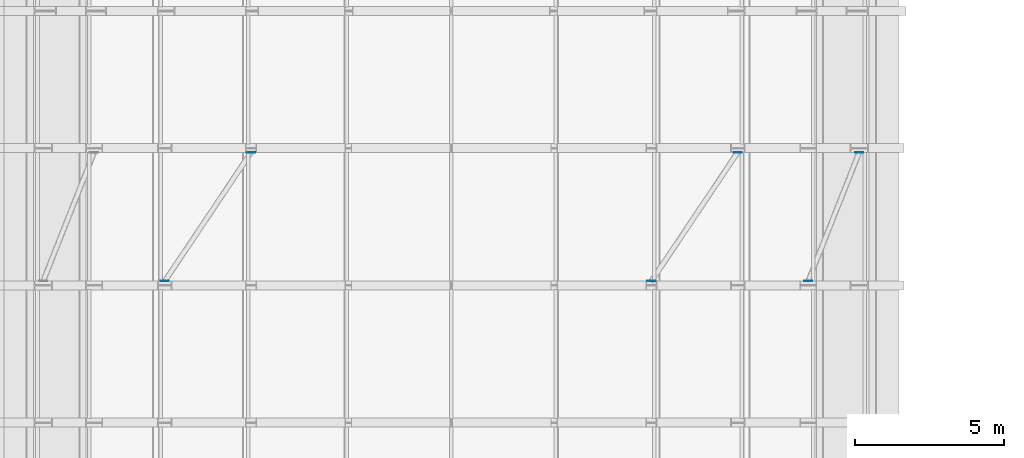
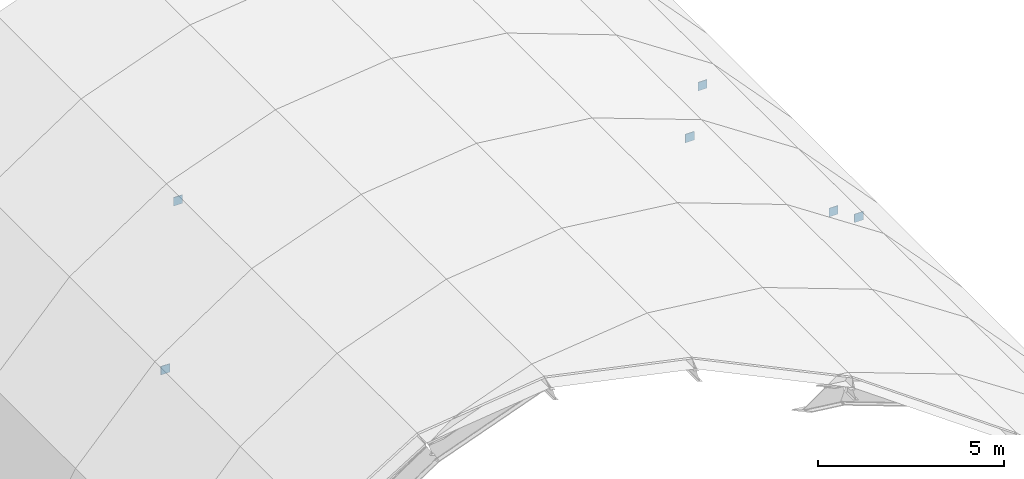
# One storey, part 34 of 47: 6 plates.
"""IFC4 building model written with IfcOpenShell, lengths in metres."""

from ifc_helpers import new_model, si_unit, direction, frame, origin, origin_2d, place, context, subcontext, project, spatial, rectangle, extrude, material, layer, layer_set, type_object, element, save


model = new_model("IFC4")

# Units and contexts
model_context = context("Model", 3, precision=1e-05, world=origin(), true_north=direction((0.0, 1.0)))
body_context = subcontext(model_context, "Body", "Model", "MODEL_VIEW")
ifc_project = project(units=[si_unit("LENGTHUNIT", "METRE"), si_unit("AREAUNIT", "SQUARE_METRE"), si_unit("VOLUMEUNIT", "CUBIC_METRE"), si_unit("PLANEANGLEUNIT", "RADIAN"), si_unit("MASSUNIT", "GRAM", prefix="KILO")], contexts=[model_context])

# Site, building, storey
site_placement = place(None, origin())
site = spatial("IfcSite", under=ifc_project, at=site_placement, CompositionType="ELEMENT")
building_placement = place(site_placement, origin())
building = spatial("IfcBuilding", under=site, at=building_placement, Name="Muzn Square Opera House", CompositionType="ELEMENT")
storey_placement = place(building_placement, frame((0.0, 0.0, 31.0)))
storey = spatial("IfcBuildingStorey", under=building, at=storey_placement, Name="RF-1", CompositionType="ELEMENT", Elevation=31.0)

# Plates
ifc_material = material(Name="Steel S355", Category="steel")
ifc_layer = layer(ifc_material, 0.01806640625, Name="Steel S355", Category="steel")
ifc_layer_set = layer_set([ifc_layer], Name="Steel S355")
plate_type = type_object("IfcPlateType", Name="Brace Cap Plate 18mm 280x280", PredefinedType="USERDEFINED", material=ifc_layer_set)
for number, where, z_axis, x_axis, name in (
    (1, (108.3955078125, 58.93994140625, -3.83349609375), (0.0, 0.0, 1.0), (1.0, 0.0, 0.0), "Vault Wind Brace End Cap Plate V3-08-08-A"),
    (2, (111.28857421875, 63.260009765625, -1.90966796875), (0.0, 0.0, 1.0), (1.0, 0.0, 0.0), "Vault Wind Brace End Cap Plate V3-08-08-B"),
    (3, (124.71142578125, 58.93994140625, -1.90966796875), (0.0, 0.0, 1.0), (1.0, 0.0, 0.0), "Vault Wind Brace End Cap Plate V3-08-14-A"),
    (4, (127.6044921875, 63.260009765625, -3.83349609375), (0.0, 0.0, 1.0), (1.0, 0.0, 0.0), "Vault Wind Brace End Cap Plate V3-08-14-B"),
    (5, (129.970703125, 58.93994140625, -6.37744140625), (0.0, 0.0, 1.0), (1.0, 0.0, 0.0), "Vault Wind Brace End Cap Plate V3-08-18-A"),
    (6, (131.680419921875, 63.260009765625, -9.40185546875), (0.0, 0.0, 1.0), (1.0, 0.0, 0.0), "Vault Wind Brace End Cap Plate V3-08-18-B"),
):
    element("IfcPlate", number, at=place(storey_placement, frame(where, z_axis=z_axis, x_axis=x_axis)), inside=storey, type_object=plate_type, Name=name, ObjectType="GUSSET PLATE", PredefinedType="USERDEFINED", context=body_context, shape_type="SweptSolid", body=[
        extrude(rectangle(XDim=0.280029296875, YDim=0.01806640625, at=origin_2d()), origin(), (0.0, 0.0, 1.0), 0.280029296875),
    ])

save(model, "model.ifc")
